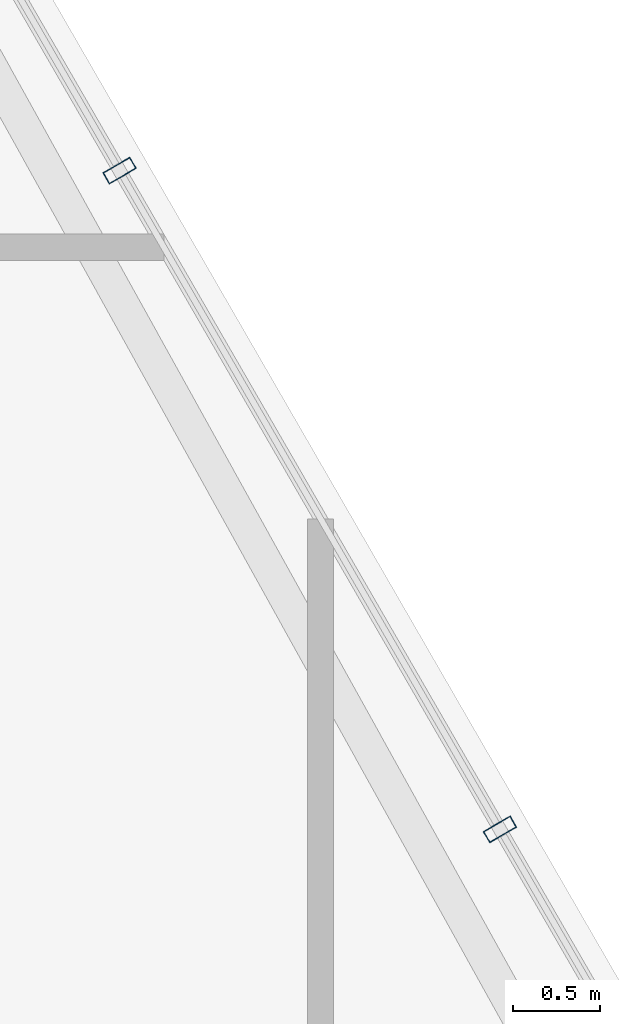
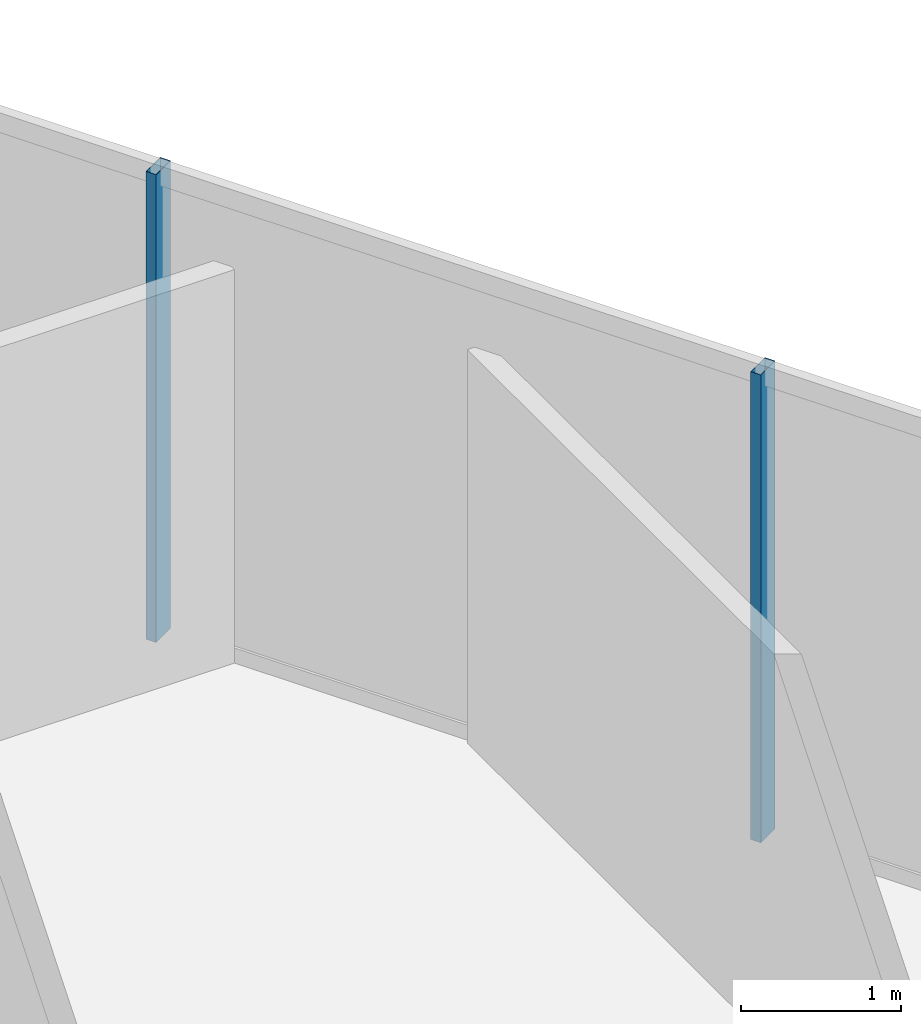
# One storey, part 17 of 29: 2 members, 1 element without a shape of its own.
"""IFC4 building model written with IfcOpenShell, lengths in metres."""

from ifc_helpers import new_model, si_unit, direction, frame, origin, origin_2d, place, context, subcontext, project, spatial, hollow_rectangle, extrude, material, layer, layer_set, material_profile, profile_set, type_object, element, aggregate, save


model = new_model("IFC4")

# Units and contexts
model_context = context("Model", 3, precision=1e-05, world=origin(), true_north=direction((0.0, 1.0)))
body_context = subcontext(model_context, "Body", "Model", "MODEL_VIEW")
ifc_project = project(units=[si_unit("LENGTHUNIT", "METRE"), si_unit("AREAUNIT", "SQUARE_METRE"), si_unit("VOLUMEUNIT", "CUBIC_METRE"), si_unit("PLANEANGLEUNIT", "RADIAN"), si_unit("MASSUNIT", "GRAM", prefix="KILO")], contexts=[model_context])

# Site, building, storey
site_placement = place(None, origin())
site = spatial("IfcSite", under=ifc_project, at=site_placement, CompositionType="ELEMENT")
building_placement = place(site_placement, origin())
building = spatial("IfcBuilding", under=site, at=building_placement, Name="Ndaravel Arena Tower", CompositionType="ELEMENT")
storey_placement = place(building_placement, frame((0.0, 0.0, 248.39990234375)))
storey = spatial("IfcBuildingStorey", under=building, at=storey_placement, Name="L60", CompositionType="ELEMENT", Elevation=248.39990234375)

# Curtain wall, members
ifc_material_1 = material(Name="Aluminium", Category="aluminium")
ifc_layer = layer(ifc_material_1, 0.179931640625)
ifc_layer_set = layer_set([ifc_layer], Name="Aluminium")
curtain_wall_type = type_object("IfcCurtainWallType", Name="CW-SYS-03", PredefinedType="NOTDEFINED", material=ifc_layer_set)
curtain_wall_placement = place(storey_placement, origin())
curtain_wall = element("IfcCurtainWall", 1, at=curtain_wall_placement, inside=storey, type_object=curtain_wall_type, Name="L60 Faceted Crystal Curtain Wall CW-L60-E03", PredefinedType="NOTDEFINED")
ifc_material_2 = material(Name="Aluminium", Category="aluminium")
ifc_material_profile = material_profile(ifc_material_2, hollow_rectangle(XDim=0.074951171875, YDim=0.179931640625, WallThickness=0.00390625, at=origin_2d()), Name="CW MULLION 75x180x4")
ifc_profile_set = profile_set([ifc_material_profile], Name="Aluminium")
member_type = type_object("IfcMemberType", Name="MEM-CW-MUL180", PredefinedType="MULLION", material=ifc_profile_set)
member_1_placement = place(storey_placement, frame((58.431640625, 22.251220703125, 0.0), z_axis=(0.0, 0.0, 1.0), x_axis=(-0.5, 0.866025403784, 0.0)))
member_1 = element("IfcMember", 2, at=member_1_placement, type_object=member_type, Name="CW-L60-E03 Mullion 03", PredefinedType="MULLION", context=body_context, shape_type="SweptSolid", body=[
    extrude(hollow_rectangle(XDim=0.074951171875, YDim=0.179931640625, WallThickness=0.00390625, at=origin_2d()), origin(), (0.0, 0.0, 1.0), 3.580078125),
])
member_2_placement = place(storey_placement, frame((56.24365234375, 26.041015625, 0.0), z_axis=(0.0, 0.0, 1.0), x_axis=(-0.5, 0.866025403784, 0.0)))
member_2 = element("IfcMember", 3, at=member_2_placement, type_object=member_type, Name="CW-L60-E03 Mullion 04", PredefinedType="MULLION", context=body_context, shape_type="SweptSolid", body=[
    extrude(hollow_rectangle(XDim=0.074951171875, YDim=0.179931640625, WallThickness=0.00390625, at=origin_2d()), origin(), (0.0, 0.0, 1.0), 3.580078125),
])
aggregate(curtain_wall, [member_1, member_2])

save(model, "model.ifc")
